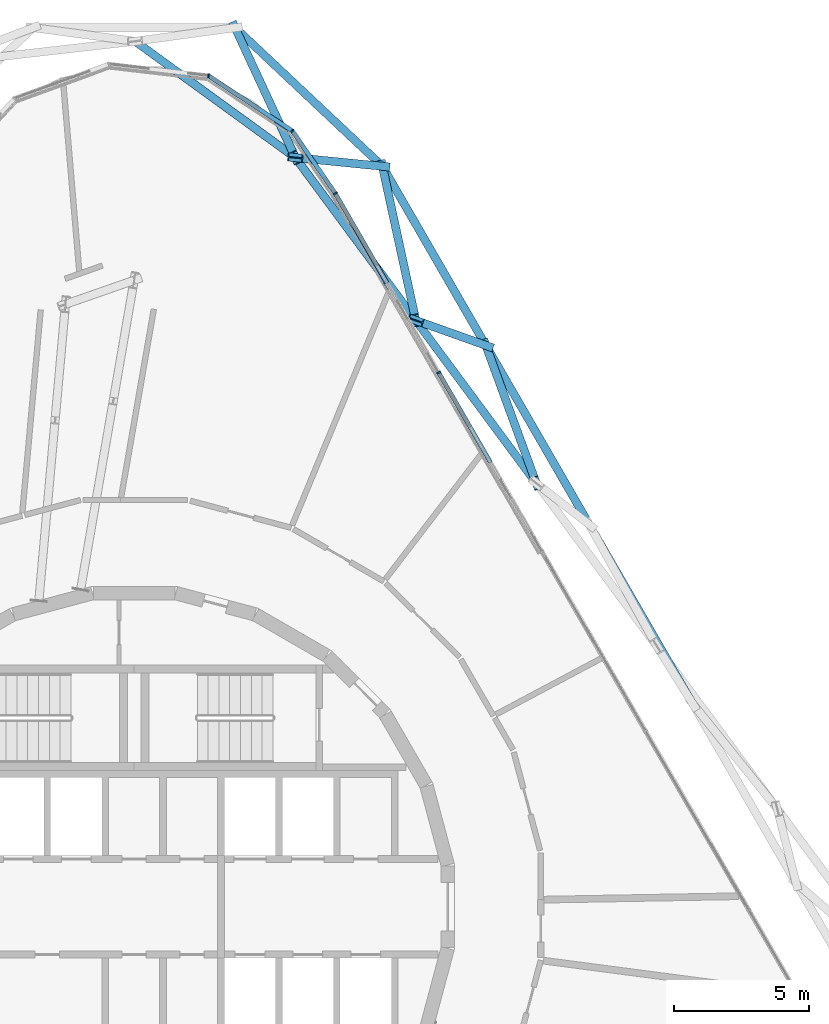
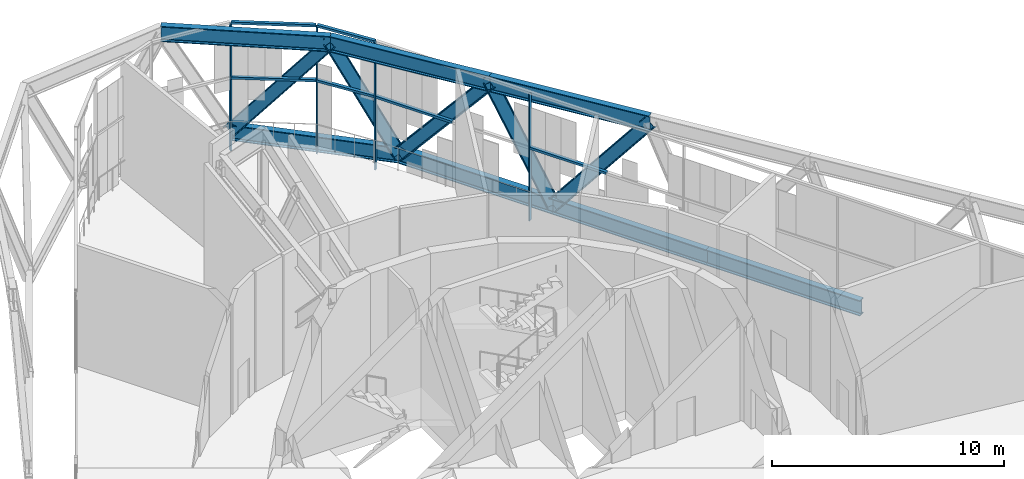
# One storey, part 10 of 29: 22 members, 2 elements without a shape of their own.
"""IFC4 building model written with IfcOpenShell, lengths in metres."""

from ifc_helpers import new_model, si_unit, direction, frame, origin, origin_2d, place, context, subcontext, project, spatial, rectangle, i_section, extrude, material, layer, layer_set, material_profile, profile_set, type_object, element, aggregate, save


model = new_model("IFC4")

# Units and contexts
model_context = context("Model", 3, precision=1e-05, world=origin(), true_north=direction((0.0, 1.0)))
body_context = subcontext(model_context, "Body", "Model", "MODEL_VIEW")
ifc_project = project(units=[si_unit("LENGTHUNIT", "METRE"), si_unit("AREAUNIT", "SQUARE_METRE"), si_unit("VOLUMEUNIT", "CUBIC_METRE"), si_unit("PLANEANGLEUNIT", "RADIAN"), si_unit("MASSUNIT", "GRAM", prefix="KILO")], contexts=[model_context])

# Site, building, storey
site_placement = place(None, origin())
site = spatial("IfcSite", under=ifc_project, at=site_placement, CompositionType="ELEMENT")
building_placement = place(site_placement, origin())
building = spatial("IfcBuilding", under=site, at=building_placement, Name="Spindle Arch Residences", CompositionType="ELEMENT")
storey_placement = place(building_placement, frame((0.0, 0.0, 69.89990234375)))
storey = spatial("IfcBuildingStorey", under=building, at=storey_placement, Name="L16", CompositionType="ELEMENT", Elevation=69.89990234375)

# Members
ifc_material_1 = material(Name="Steel S460ML, intumescent coating R 240", Category="steel")
ifc_material_profile_1 = material_profile(ifc_material_1, i_section(OverallWidth=0.302978515625, OverallDepth=0.81396484375, WebThickness=0.02099609375, FlangeThickness=0.0400390625, FilletRadius=0.030029296875, at=origin_2d()), Name="HEM 800")
ifc_profile_set_1 = profile_set([ifc_material_profile_1], Name="Steel S460ML, intumescent coating R 240")
member_type_1 = type_object("IfcMemberType", Name="Belt truss chord HEM 800", PredefinedType="CHORD", material=ifc_profile_set_1)
for number, where, z_axis, x_axis, name in (
    (1, (20.73876953125, 7.539306640625, -0.85693359375), (-0.500005879718, 0.866022009101, 0.0), (-0.866022009101, -0.500005879718, 0.0), "Belt truss bottom chord L16.8"),
    (2, (16.898681640625, 14.1904296875, -0.85693359375), (-0.499992114976, 0.866029956157, 0.0), (-0.866029956157, -0.499992114976, 0.0), "Belt truss bottom chord L16.9"),
    (3, (13.05859375, 20.841796875, -0.85693359375), (-0.500005879718, 0.866022009101, 0.0), (-0.866022009101, -0.500005879718, 0.0), "Belt truss bottom chord L16.10"),
):
    element("IfcMember", number, at=place(storey_placement, frame(where, z_axis=z_axis, x_axis=x_axis)), inside=storey, type_object=member_type_1, Name=name, PredefinedType="CHORD", context=body_context, shape_type="SweptSolid", body=[
        extrude(i_section(OverallWidth=0.302978515625, OverallDepth=0.81396484375, WebThickness=0.02099609375, FlangeThickness=0.0400390625, FilletRadius=0.030029296875, at=origin_2d()), origin(), (0.0, 0.0, 1.0), 7.68017578125),
    ])
member_1_placement = place(storey_placement, frame((9.218505859375, 27.492919921875, -0.85693359375), z_axis=(-0.728378434968, 0.68517505462, 0.0), x_axis=(-0.68517505462, -0.728378434968, 0.0)))
element("IfcMember", 4, at=member_1_placement, inside=storey, type_object=member_type_1, Name="Belt truss bottom chord L16.11", PredefinedType="CHORD", context=body_context, shape_type="SweptSolid", body=[
    extrude(i_section(OverallWidth=0.302978515625, OverallDepth=0.81396484375, WebThickness=0.02099609375, FlangeThickness=0.0400390625, FilletRadius=0.030029296875, at=origin_2d()), origin(), (0.0, 0.0, 1.0), 7.510009765625),
])
for number, where, z_axis, x_axis, name in (
    (5, (14.93212890625, 15.72607421875, 5.943115234375), (-0.594833773541, 0.803848730704, 0.0), (-0.803848730704, -0.594833773541, 0.0), "Belt truss top chord L16.9"),
    (6, (10.459716796875, 21.77001953125, 5.943115234375), (-0.594797265235, 0.803875744919, 0.0), (-0.803875744919, -0.594797265235, 0.0), "Belt truss top chord L16.10"),
):
    element("IfcMember", number, at=place(storey_placement, frame(where, z_axis=z_axis, x_axis=x_axis)), inside=storey, type_object=member_type_1, Name=name, PredefinedType="CHORD", context=body_context, shape_type="SweptSolid", body=[
        extrude(i_section(OverallWidth=0.302978515625, OverallDepth=0.81396484375, WebThickness=0.02099609375, FlangeThickness=0.0400390625, FilletRadius=0.030029296875, at=origin_2d()), origin(), (0.0, 0.0, 1.0), 7.518798828125),
    ])
member_2_placement = place(storey_placement, frame((5.987548828125, 27.814208984375, 5.943115234375), z_axis=(-0.809295594057, 0.587401601495, 0.0), x_axis=(-0.587401601495, -0.809295594057, 0.0)))
element("IfcMember", 7, at=member_2_placement, inside=storey, type_object=member_type_1, Name="Belt truss top chord L16.11", PredefinedType="CHORD", context=body_context, shape_type="SweptSolid", body=[
    extrude(i_section(OverallWidth=0.302978515625, OverallDepth=0.81396484375, WebThickness=0.02099609375, FlangeThickness=0.0400390625, FilletRadius=0.030029296875, at=origin_2d()), origin(), (0.0, 0.0, 1.0), 7.35400390625),
])
ifc_material_2 = material(Name="Steel S460ML, intumescent coating R 240", Category="steel")
ifc_material_profile_2 = material_profile(ifc_material_2, i_section(OverallWidth=0.304931640625, OverallDepth=0.6201171875, WebThickness=0.02099609375, FlangeThickness=0.0400390625, FilletRadius=0.027099609375, at=origin_2d()), Name="HEM 600")
ifc_profile_set_2 = profile_set([ifc_material_profile_2], Name="Steel S460ML, intumescent coating R 240")
member_type_2 = type_object("IfcMemberType", Name="Belt truss diagonal HEM 600", PredefinedType="BRACE", material=ifc_profile_set_2)
member_3_placement = place(storey_placement, frame((13.05859375, 20.841796875, -0.85693359375), z_axis=(0.215020415223, -0.587117250532, 0.780422677249), x_axis=(0.939008534462, 0.343893838573, 0.0)))
element("IfcMember", 8, at=member_3_placement, inside=storey, type_object=member_type_2, Name="Belt truss diagonal L16.9.10", PredefinedType="BRACE", context=body_context, shape_type="SweptSolid", body=[
    extrude(i_section(OverallWidth=0.304931640625, OverallDepth=0.6201171875, WebThickness=0.02099609375, FlangeThickness=0.0400390625, FilletRadius=0.027099609375, at=origin_2d()), origin(), (0.0, 0.0, 1.0), 8.71337890625),
])
member_4_placement = place(storey_placement, frame((13.05859375, 20.841796875, -0.85693359375), z_axis=(-0.354133462745, 0.126483365463, 0.926602098435), x_axis=(-0.336353209761, -0.941735906867, 0.0)))
element("IfcMember", 9, at=member_4_placement, inside=storey, type_object=member_type_2, Name="Belt truss diagonal L16.10.10", PredefinedType="BRACE", context=body_context, shape_type="SweptSolid", body=[
    extrude(i_section(OverallWidth=0.304931640625, OverallDepth=0.6201171875, WebThickness=0.02099609375, FlangeThickness=0.0400390625, FilletRadius=0.027099609375, at=origin_2d()), origin(), (0.0, 0.0, 1.0), 7.338623046875),
])
member_5_placement = place(storey_placement, frame((9.218505859375, 27.492919921875, -0.85693359375), z_axis=(0.138311738191, -0.637719404985, 0.757749182503), x_axis=(0.977278972111, 0.211957096293, 0.0)))
element("IfcMember", 10, at=member_5_placement, inside=storey, type_object=member_type_2, Name="Belt truss diagonal L16.10.11", PredefinedType="BRACE", context=body_context, shape_type="SweptSolid", body=[
    extrude(i_section(OverallWidth=0.304931640625, OverallDepth=0.6201171875, WebThickness=0.02099609375, FlangeThickness=0.0400390625, FilletRadius=0.027099609375, at=origin_2d()), origin(), (0.0, 0.0, 1.0), 8.97412109375),
])
member_6_placement = place(storey_placement, frame((9.218505859375, 27.492919921875, -0.85693359375), z_axis=(-0.428767752398, 0.042637022983, 0.90240805558), x_axis=(-0.098952791422, -0.995092128936, 0.0)))
element("IfcMember", 11, at=member_6_placement, inside=storey, type_object=member_type_2, Name="Belt truss diagonal L16.11.11", PredefinedType="BRACE", context=body_context, shape_type="SweptSolid", body=[
    extrude(i_section(OverallWidth=0.304931640625, OverallDepth=0.6201171875, WebThickness=0.02099609375, FlangeThickness=0.0400390625, FilletRadius=0.027099609375, at=origin_2d()), origin(), (0.0, 0.0, 1.0), 7.535400390625),
])
member_7_placement = place(storey_placement, frame((3.748291015625, 32.638671875, -0.85693359375), z_axis=(0.259380560914, -0.558833325799, 0.787671910504), x_axis=(0.907057175111, 0.421007459649, 0.0)))
element("IfcMember", 12, at=member_7_placement, inside=storey, type_object=member_type_2, Name="Belt truss diagonal L16.11.12", PredefinedType="BRACE", context=body_context, shape_type="SweptSolid", body=[
    extrude(i_section(OverallWidth=0.304931640625, OverallDepth=0.6201171875, WebThickness=0.02099609375, FlangeThickness=0.0400390625, FilletRadius=0.027099609375, at=origin_2d()), origin(), (0.0, 0.0, 1.0), 8.633056640625),
])

# Curtain wall, member
ifc_material_3 = material(Name="Aluminium bronze unitised frame with tinted glass", Category="aluminium")
ifc_layer = layer(ifc_material_3, 0.159912109375)
ifc_layer_set = layer_set([ifc_layer], Name="CW-E double-height winter garden wall")
curtain_wall_type = type_object("IfcCurtainWallType", Name="CW-E double-height winter garden wall", PredefinedType="NOTDEFINED", material=ifc_layer_set)
curtain_wall_1_placement = place(storey_placement, origin())
curtain_wall_1 = element("IfcCurtainWall", 13, at=curtain_wall_1_placement, inside=storey, type_object=curtain_wall_type, Name="CW-E L16 run 2", PredefinedType="NOTDEFINED")
ifc_material_4 = material(Name="Aluminium bronze anodised mullion", Category="aluminium")
ifc_material_profile_3 = material_profile(ifc_material_4, rectangle(XDim=0.159912109375, YDim=0.06005859375, at=origin_2d()), Name="MU 60x160")
ifc_profile_set_3 = profile_set([ifc_material_profile_3], Name="Aluminium bronze anodised mullion")
member_type_3 = type_object("IfcMemberType", Name="Bronze mullion 60x160", PredefinedType="MULLION", material=ifc_profile_set_3)
member_8_placement = place(storey_placement, frame((11.309326171875, 19.83154296875, -0.449951171875), z_axis=(0.0, 0.0, 1.0), x_axis=(-0.866025403784, -0.5, 0.0)))
member_8 = element("IfcMember", 14, at=member_8_placement, type_object=member_type_3, Name="CW-E mullion 09", PredefinedType="MULLION", context=body_context, shape_type="SweptSolid", body=[
    extrude(rectangle(XDim=0.159912109375, YDim=0.06005859375, at=origin_2d()), origin(), (0.0, 0.0, 1.0), 6.679931640625),
])

# Curtain wall, members
curtain_wall_2_placement = place(storey_placement, origin())
curtain_wall_2 = element("IfcCurtainWall", 15, at=curtain_wall_2_placement, inside=storey, type_object=curtain_wall_type, Name="CW-E L16 run 3", PredefinedType="NOTDEFINED")
member_9_placement = place(storey_placement, frame((7.46923828125, 26.48291015625, -0.449951171875), z_axis=(0.0, 0.0, 1.0), x_axis=(-0.824747802142, -0.565500718711, 0.0)))
member_9 = element("IfcMember", 16, at=member_9_placement, type_object=member_type_3, Name="CW-E mullion 00", PredefinedType="MULLION", context=body_context, shape_type="SweptSolid", body=[
    extrude(rectangle(XDim=0.159912109375, YDim=0.06005859375, at=origin_2d()), origin(), (0.0, 0.0, 1.0), 6.679931640625),
])
member_10_placement = place(storey_placement, frame((5.877197265625, 28.8046875, -0.449951171875), z_axis=(0.0, 0.0, 1.0), x_axis=(-0.549508977628, -0.835487811704, 0.0)))
member_10 = element("IfcMember", 17, at=member_10_placement, type_object=member_type_3, Name="CW-E mullion 01", PredefinedType="MULLION", context=body_context, shape_type="SweptSolid", body=[
    extrude(rectangle(XDim=0.159912109375, YDim=0.06005859375, at=origin_2d()), origin(), (0.0, 0.0, 1.0), 6.679931640625),
])
member_11_placement = place(storey_placement, frame((2.763427734375, 30.8525390625, -0.449951171875), z_axis=(0.0, 0.0, 1.0), x_axis=(-0.116092915414, -0.993238357591, 0.0)))
member_11 = element("IfcMember", 18, at=member_11_placement, type_object=member_type_3, Name="CW-E mullion 02", PredefinedType="MULLION", context=body_context, shape_type="SweptSolid", body=[
    extrude(rectangle(XDim=0.159912109375, YDim=0.06005859375, at=origin_2d()), origin(), (0.0, 0.0, 1.0), 6.679931640625),
])

# Member
ifc_material_5 = material(Name="Aluminium bronze anodised transom", Category="aluminium")
ifc_material_profile_4 = material_profile(ifc_material_5, rectangle(XDim=0.159912109375, YDim=0.1201171875, at=origin_2d()), Name="TR 120x160")
ifc_profile_set_4 = profile_set([ifc_material_profile_4], Name="Aluminium bronze anodised transom")
member_type_4 = type_object("IfcMemberType", Name="Bronze transom 120x160", PredefinedType="USERDEFINED", material=ifc_profile_set_4)
member_12_placement = place(storey_placement, frame((13.229248046875, 16.506103515625, 3.400146484375), z_axis=(-0.500005339912, 0.866022320763, 0.0), x_axis=(-0.866022320763, -0.500005339912, 0.0)))
member_12 = element("IfcMember", 19, at=member_12_placement, type_object=member_type_4, Name="CW-E transom 08Bm", ObjectType="TRANSOM", PredefinedType="USERDEFINED", context=body_context, shape_type="SweptSolid", body=[
    extrude(rectangle(XDim=0.159912109375, YDim=0.1201171875, at=origin_2d()), origin(), (0.0, 0.0, 1.0), 3.81005859375),
])

member_13_placement = place(storey_placement, frame((9.38916015625, 23.1572265625, 3.400146484375), z_axis=(-0.500005339912, 0.866022320763, 0.0), x_axis=(-0.866022320763, -0.500005339912, 0.0)))
member_13 = element("IfcMember", 20, at=member_13_placement, type_object=member_type_4, Name="CW-E transom 09Bm", ObjectType="TRANSOM", PredefinedType="USERDEFINED", context=body_context, shape_type="SweptSolid", body=[
    extrude(rectangle(XDim=0.159912109375, YDim=0.1201171875, at=origin_2d()), origin(), (0.0, 0.0, 1.0), 3.81005859375),
])

aggregate(curtain_wall_1, [member_12, member_8, member_13])

member_14_placement = place(storey_placement, frame((7.4521484375, 26.507568359375, 6.2900390625), z_axis=(-0.565490471855, 0.824754827958, 0.0), x_axis=(-0.824754827958, -0.565490471855, 0.0)))
member_14 = element("IfcMember", 21, at=member_14_placement, type_object=member_type_4, Name="CW-E transom 00", ObjectType="TRANSOM", PredefinedType="USERDEFINED", context=body_context, shape_type="SweptSolid", body=[
    extrude(rectangle(XDim=0.159912109375, YDim=0.1201171875, at=origin_2d()), origin(), (0.0, 0.0, 1.0), 2.75537109375),
])

member_15_placement = place(storey_placement, frame((7.4521484375, 26.507568359375, 3.400146484375), z_axis=(-0.565490471855, 0.824754827958, 0.0), x_axis=(-0.824754827958, -0.565490471855, 0.0)))
member_15 = element("IfcMember", 22, at=member_15_placement, type_object=member_type_4, Name="CW-E transom 00m", ObjectType="TRANSOM", PredefinedType="USERDEFINED", context=body_context, shape_type="SweptSolid", body=[
    extrude(rectangle(XDim=0.159912109375, YDim=0.1201171875, at=origin_2d()), origin(), (0.0, 0.0, 1.0), 2.75537109375),
])

member_16_placement = place(storey_placement, frame((5.85205078125, 28.821044921875, 6.2900390625), z_axis=(-0.835486265536, 0.549511328456, 0.0), x_axis=(-0.549511328456, -0.835486265536, 0.0)))
member_16 = element("IfcMember", 23, at=member_16_placement, type_object=member_type_4, Name="CW-E transom 01", ObjectType="TRANSOM", PredefinedType="USERDEFINED", context=body_context, shape_type="SweptSolid", body=[
    extrude(rectangle(XDim=0.159912109375, YDim=0.1201171875, at=origin_2d()), origin(), (0.0, 0.0, 1.0), 3.666748046875),
])

member_17_placement = place(storey_placement, frame((5.85205078125, 28.821044921875, 3.400146484375), z_axis=(-0.835486265536, 0.549511328456, 0.0), x_axis=(-0.549511328456, -0.835486265536, 0.0)))
member_17 = element("IfcMember", 24, at=member_17_placement, type_object=member_type_4, Name="CW-E transom 01m", ObjectType="TRANSOM", PredefinedType="USERDEFINED", context=body_context, shape_type="SweptSolid", body=[
    extrude(rectangle(XDim=0.159912109375, YDim=0.1201171875, at=origin_2d()), origin(), (0.0, 0.0, 1.0), 3.666748046875),
])

aggregate(curtain_wall_2, [member_9, member_14, member_15, member_10, member_16, member_17, member_11])

save(model, "model.ifc")
